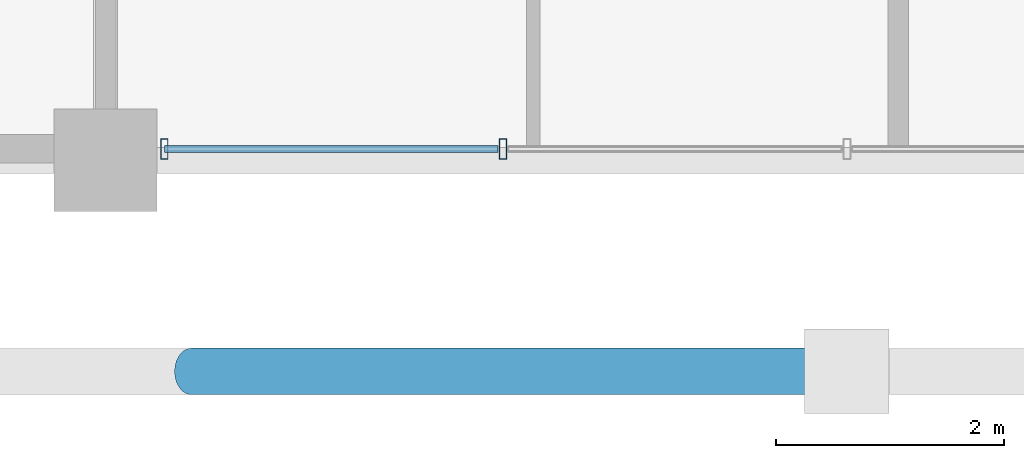
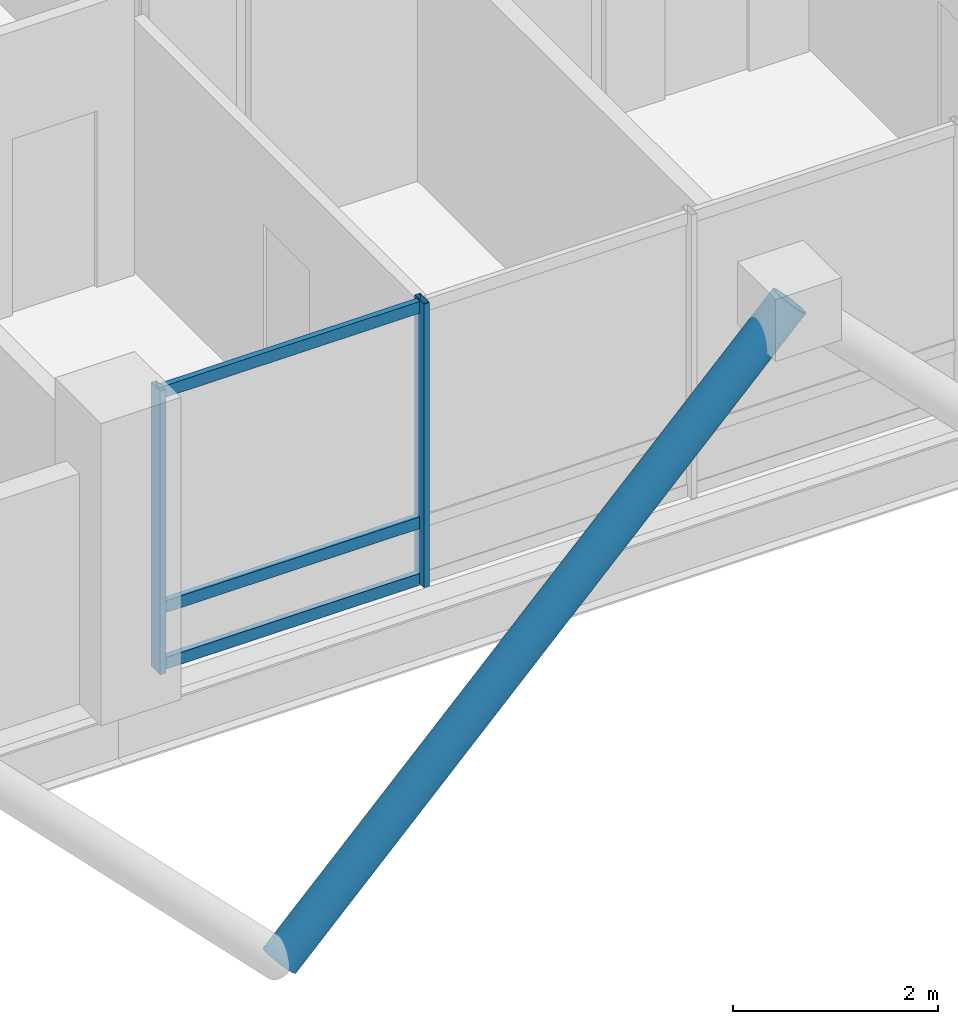
# One storey, part 2 of 24: 6 members, 1 element without a shape of its own.
"""IFC4 building model written with IfcOpenShell, lengths in metres."""

from ifc_helpers import new_model, si_unit, direction, frame, origin, origin_2d, place, context, subcontext, project, spatial, hollow_rectangle, hollow_circle, extrude, material, layer, layer_set, material_profile, profile_set, type_object, element, aggregate, save


model = new_model("IFC4")

# Units and contexts
model_context = context("Model", 3, precision=1e-05, world=origin(), true_north=direction((0.0, 1.0)))
body_context = subcontext(model_context, "Body", "Model", "MODEL_VIEW")
ifc_project = project(units=[si_unit("LENGTHUNIT", "METRE"), si_unit("AREAUNIT", "SQUARE_METRE"), si_unit("VOLUMEUNIT", "CUBIC_METRE"), si_unit("PLANEANGLEUNIT", "RADIAN"), si_unit("MASSUNIT", "GRAM", prefix="KILO")], contexts=[model_context])

# Site, building, storey
site_placement = place(None, origin())
site = spatial("IfcSite", under=ifc_project, at=site_placement, CompositionType="ELEMENT")
building_placement = place(site_placement, origin())
building = spatial("IfcBuilding", under=site, at=building_placement, Name="Barlavira Tower and Art Museum", CompositionType="ELEMENT")
storey_placement = place(building_placement, frame((0.0, 0.0, 225.89990234375)))
storey = spatial("IfcBuildingStorey", under=building, at=storey_placement, Name="L58", CompositionType="ELEMENT", Elevation=225.89990234375)

# Curtain wall, members
ifc_material_1 = material(Name="Low-iron coastal laminated glass", Category="glass")
ifc_layer = layer(ifc_material_1, 0.2099609375, Name="Low-iron coastal laminated glass")
ifc_layer_set = layer_set([ifc_layer], Name="Low-iron coastal laminated glass")
curtain_wall_type = type_object("IfcCurtainWallType", Name="Pale-Metal Unitised Curtain Wall Zone 4", PredefinedType="NOTDEFINED", material=ifc_layer_set)
curtain_wall_placement = place(storey_placement, origin())
curtain_wall = element("IfcCurtainWall", 1, at=curtain_wall_placement, inside=storey, type_object=curtain_wall_type, Name="L58 Curtain Wall CW4-L58-S-B2", PredefinedType="NOTDEFINED")
ifc_material_2 = material(Name="Pale anodised aluminium", Category="aluminium")
ifc_material_profile_1 = material_profile(ifc_material_2, hollow_rectangle(XDim=0.06494140625, YDim=0.179931640625, WallThickness=0.00390625, at=origin_2d()), Name="ALU-MULL 65x180x4")
ifc_profile_set_1 = profile_set([ifc_material_profile_1], Name="Pale anodised aluminium")
member_type_1 = type_object("IfcMemberType", Name="Curtain Wall Pale-Metal Mullion 65x180", PredefinedType="MULLION", material=ifc_profile_set_1)
member_1_placement = place(storey_placement, frame((-5.985107421875, -19.89990234375, 0.0), z_axis=(0.0, 0.0, 1.0), x_axis=(1.0, 0.0, 0.0)))
member_1 = element("IfcMember", 2, at=member_1_placement, type_object=member_type_1, Name="CW4-L58-S-B2 Mullion 0", PredefinedType="MULLION", context=body_context, shape_type="SweptSolid", body=[
    extrude(hollow_rectangle(XDim=0.06494140625, YDim=0.179931640625, WallThickness=0.00390625, at=origin_2d()), origin(), (0.0, 0.0, 1.0), 3.380126953125),
])
member_2_placement = place(storey_placement, frame((-3.014892578125, -19.89990234375, 0.0), z_axis=(0.0, 0.0, 1.0), x_axis=(1.0, 0.0, 0.0)))
member_2 = element("IfcMember", 3, at=member_2_placement, type_object=member_type_1, Name="CW4-L58-S-B2 Mullion 1", PredefinedType="MULLION", context=body_context, shape_type="SweptSolid", body=[
    extrude(hollow_rectangle(XDim=0.06494140625, YDim=0.179931640625, WallThickness=0.00390625, at=origin_2d()), origin(), (0.0, 0.0, 1.0), 3.380126953125),
])
ifc_material_profile_2 = material_profile(ifc_material_2, hollow_rectangle(XDim=0.06494140625, YDim=0.139892578125, WallThickness=0.00390625, at=origin_2d()), Name="ALU-TRAN 65x140x4")
ifc_profile_set_2 = profile_set([ifc_material_profile_2], Name="Pale anodised aluminium")
member_type_2 = type_object("IfcMemberType", Name="Curtain Wall Pale-Metal Transom 65x140", PredefinedType="USERDEFINED", material=ifc_profile_set_2)
member_3_placement = place(storey_placement, frame((-5.985107421875, -19.89990234375, 0.070068359375), z_axis=(1.0, 0.0, 0.0), x_axis=(0.0, 1.0, 0.0)))
member_3 = element("IfcMember", 4, at=member_3_placement, type_object=member_type_2, Name="CW4-L58-S-B2 Transom 0.1", ObjectType="TRANSOM", PredefinedType="USERDEFINED", context=body_context, shape_type="SweptSolid", body=[
    extrude(hollow_rectangle(XDim=0.06494140625, YDim=0.139892578125, WallThickness=0.00390625, at=origin_2d()), origin(), (0.0, 0.0, 1.0), 2.925048828125),
])
member_4_placement = place(storey_placement, frame((-5.985107421875, -19.89990234375, 0.744140625), z_axis=(1.0, 0.0, 0.0), x_axis=(0.0, 1.0, 0.0)))
member_4 = element("IfcMember", 5, at=member_4_placement, type_object=member_type_2, Name="CW4-L58-S-B2 Transom 0.2", ObjectType="TRANSOM", PredefinedType="USERDEFINED", context=body_context, shape_type="SweptSolid", body=[
    extrude(hollow_rectangle(XDim=0.06494140625, YDim=0.139892578125, WallThickness=0.00390625, at=origin_2d()), origin(), (0.0, 0.0, 1.0), 2.925048828125),
])
member_5_placement = place(storey_placement, frame((-5.985107421875, -19.89990234375, 3.31005859375), z_axis=(1.0, 0.0, 0.0), x_axis=(0.0, 1.0, 0.0)))
member_5 = element("IfcMember", 6, at=member_5_placement, type_object=member_type_2, Name="CW4-L58-S-B2 Transom 0.3", ObjectType="TRANSOM", PredefinedType="USERDEFINED", context=body_context, shape_type="SweptSolid", body=[
    extrude(hollow_rectangle(XDim=0.06494140625, YDim=0.139892578125, WallThickness=0.00390625, at=origin_2d()), origin(), (0.0, 0.0, 1.0), 2.925048828125),
])
aggregate(curtain_wall, [member_1, member_2, member_3, member_4, member_5])

# Member
ifc_material_3 = material(Name="Steel S355", Category="steel")
ifc_material_profile_3 = material_profile(ifc_material_3, hollow_circle(Radius=0.203125, WallThickness=0.01611328125, at=origin_2d()), Name="CHS 406.4x16.0")
ifc_profile_set_3 = profile_set([ifc_material_profile_3], Name="Steel S355")
member_type_3 = type_object("IfcMemberType", Name="Pale-Metal Exoskeleton Diagrid Tube CHS 406x16 Steel S355", PredefinedType="BRACE", material=ifc_profile_set_3)
member_6_placement = place(storey_placement, frame((-5.75, -21.85009765625, -2.369873046875), z_axis=(0.700993913973, 0.0, 0.713167254276), x_axis=(0.0, 1.0, 0.0)))
element("IfcMember", 7, at=member_6_placement, inside=storey, type_object=member_type_3, Name="L58 Exoskeleton Diagrid Tube S", PredefinedType="BRACE", context=body_context, shape_type="SweptSolid", body=[
    extrude(hollow_circle(Radius=0.203125, WallThickness=0.01611328125, at=origin_2d()), origin(), (0.0, 0.0, 1.0), 8.20263671875),
])

save(model, "model.ifc")
